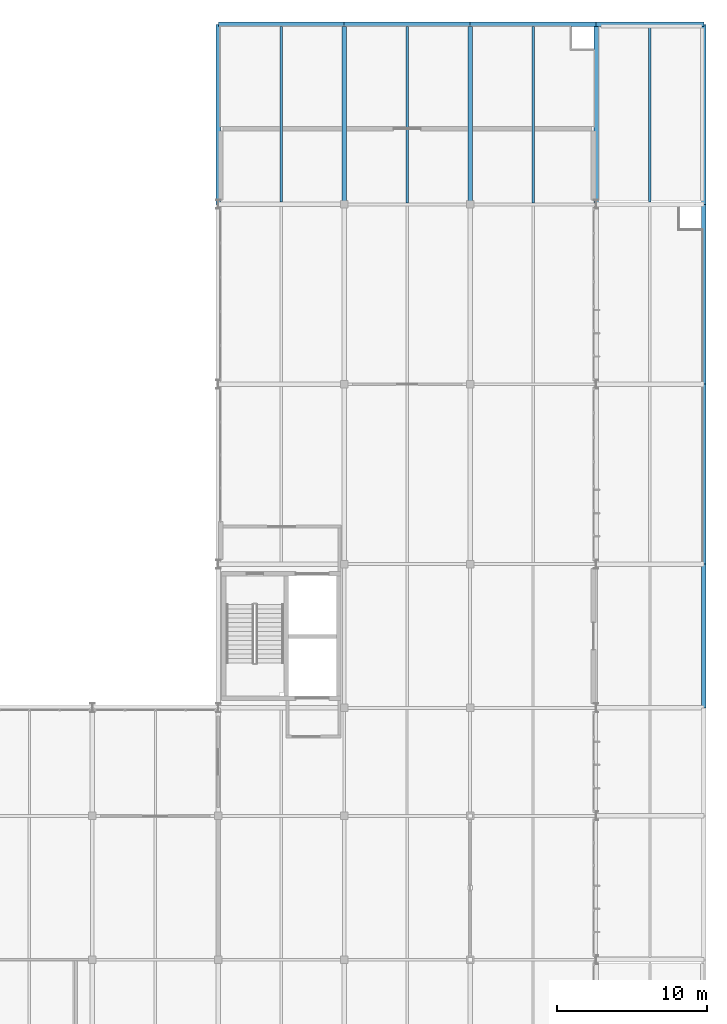
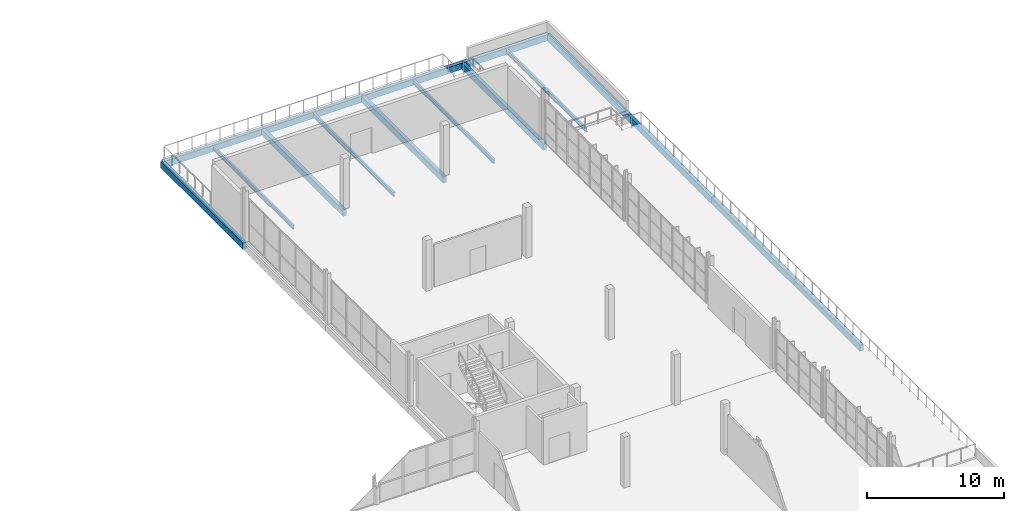
# One storey, part 84 of 109: 16 beams.
"""IFC4 building model written with IfcOpenShell, lengths in metres."""

from ifc_helpers import new_model, si_unit, direction, frame, origin, origin_2d, place, context, subcontext, project, spatial, rectangle, i_section, extrude, material, material_profile, profile_set, type_object, element, save


model = new_model("IFC4")

# Units and contexts
model_context = context("Model", 3, precision=1e-05, world=origin(), true_north=direction((0.0, 1.0)))
body_context = subcontext(model_context, "Body", "Model", "MODEL_VIEW")
ifc_project = project(units=[si_unit("LENGTHUNIT", "METRE"), si_unit("AREAUNIT", "SQUARE_METRE"), si_unit("VOLUMEUNIT", "CUBIC_METRE"), si_unit("PLANEANGLEUNIT", "RADIAN"), si_unit("MASSUNIT", "GRAM", prefix="KILO")], contexts=[model_context])

# Site, building, storey
site_placement = place(None, origin())
site = spatial("IfcSite", under=ifc_project, at=site_placement, CompositionType="ELEMENT")
building_placement = place(site_placement, origin())
building = spatial("IfcBuilding", under=site, at=building_placement, Name="Veltarok Museum of Natural Sciences", CompositionType="ELEMENT")
storey_placement = place(building_placement, frame((0.0, 0.0, 17.39990234375)))
storey = spatial("IfcBuildingStorey", under=building, at=storey_placement, Name="L03", CompositionType="ELEMENT", Elevation=17.39990234375)

# Beams
ifc_material_1 = material(Name="Precast concrete C40/50", Category="concrete")
ifc_material_profile_1 = material_profile(ifc_material_1, rectangle(XDim=0.300048828125, YDim=0.550048828125, at=origin_2d()), Name="RC 300x550")
ifc_profile_set_1 = profile_set([ifc_material_profile_1], Name="Precast concrete C40/50")
beam_type_1 = type_object("IfcBeamType", Name="East Wing Precast Spandrel RC 300x550", PredefinedType="SPANDREL", material=ifc_profile_set_1)
beam_1_placement = place(storey_placement, frame((132.39990234375, 72.0, -0.534912109375), z_axis=(1.0, 0.0, 0.0), x_axis=(0.0, 1.0, 0.0)))
element("IfcBeam", 1, at=beam_1_placement, inside=storey, type_object=beam_type_1, Name="Beam BM-SP02 L03 16-17/H", PredefinedType="SPANDREL", context=body_context, shape_type="SweptSolid", body=[
    extrude(rectangle(XDim=0.300048828125, YDim=0.550048828125, at=origin_2d()), origin(), (0.0, 0.0, 1.0), 8.400146484375),
])
beam_2_placement = place(storey_placement, frame((140.800048828125, 72.0, -0.534912109375), z_axis=(1.0, 0.0, 0.0), x_axis=(0.0, 1.0, 0.0)))
element("IfcBeam", 2, at=beam_2_placement, inside=storey, type_object=beam_type_1, Name="Beam BM-SP02 L03 17-18/H", PredefinedType="SPANDREL", context=body_context, shape_type="SweptSolid", body=[
    extrude(rectangle(XDim=0.300048828125, YDim=0.550048828125, at=origin_2d()), origin(), (0.0, 0.0, 1.0), 8.39990234375),
])
beam_3_placement = place(storey_placement, frame((149.199951171875, 72.0, -0.534912109375), z_axis=(1.0, 0.0, 0.0), x_axis=(0.0, 1.0, 0.0)))
element("IfcBeam", 3, at=beam_3_placement, inside=storey, type_object=beam_type_1, Name="Beam BM-SP02 L03 18-19/H", PredefinedType="SPANDREL", context=body_context, shape_type="SweptSolid", body=[
    extrude(rectangle(XDim=0.300048828125, YDim=0.550048828125, at=origin_2d()), origin(), (0.0, 0.0, 1.0), 8.400146484375),
])
beam_4_placement = place(storey_placement, frame((157.60009765625, 72.0, -0.534912109375), z_axis=(1.0, 0.0, 0.0), x_axis=(0.0, 1.0, 0.0)))
element("IfcBeam", 4, at=beam_4_placement, inside=storey, type_object=beam_type_1, Name="Beam BM-SP02 L03 19-20/H", PredefinedType="SPANDREL", context=body_context, shape_type="SweptSolid", body=[
    extrude(rectangle(XDim=0.300048828125, YDim=0.550048828125, at=origin_2d()), origin(), (0.0, 0.0, 1.0), 7.199951171875),
])
for number, where, z_axis, x_axis, name in (
    (5, (132.39990234375, 60.0, -0.534912109375), (0.0, 1.0, 0.0), (-1.0, 0.0, 0.0), "Beam BM-SP02 L03 16/G-H"),
    (6, (140.800048828125, 60.0, -0.534912109375), (0.0, 1.0, 0.0), (-1.0, 0.0, 0.0), "Beam BM-SP02 L03 17/G-H"),
    (7, (149.199951171875, 60.0, -0.534912109375), (0.0, 1.0, 0.0), (-1.0, 0.0, 0.0), "Beam BM-SP02 L03 18/G-H"),
    (8, (157.60009765625, 60.0, -0.534912109375), (0.0, 1.0, 0.0), (-1.0, 0.0, 0.0), "Beam BM-SP02 L03 19/G-H"),
):
    element("IfcBeam", number, at=place(storey_placement, frame(where, z_axis=z_axis, x_axis=x_axis)), inside=storey, type_object=beam_type_1, Name=name, PredefinedType="SPANDREL", context=body_context, shape_type="SweptSolid", body=[
        extrude(rectangle(XDim=0.300048828125, YDim=0.550048828125, at=origin_2d()), origin(), (0.0, 0.0, 1.0), 12.0),
    ])
beam_5_placement = place(storey_placement, frame((164.800048828125, 26.39990234375, -0.534912109375), z_axis=(0.0, 1.0, 0.0), x_axis=(-1.0, 0.0, 0.0)))
element("IfcBeam", 9, at=beam_5_placement, inside=storey, type_object=beam_type_1, Name="Beam BM-SP02 L03 20/D-E", PredefinedType="SPANDREL", context=body_context, shape_type="SweptSolid", body=[
    extrude(rectangle(XDim=0.300048828125, YDim=0.550048828125, at=origin_2d()), origin(), (0.0, 0.0, 1.0), 9.60009765625),
])
for number, where, z_axis, x_axis, name in (
    (10, (164.800048828125, 36.0, -0.534912109375), (0.0, 1.0, 0.0), (-1.0, 0.0, 0.0), "Beam BM-SP02 L03 20/E-F"),
    (11, (164.800048828125, 48.0, -0.534912109375), (0.0, 1.0, 0.0), (-1.0, 0.0, 0.0), "Beam BM-SP02 L03 20/F-G"),
    (12, (164.800048828125, 60.0, -0.534912109375), (0.0, 1.0, 0.0), (-1.0, 0.0, 0.0), "Beam BM-SP02 L03 20/G-H"),
):
    element("IfcBeam", number, at=place(storey_placement, frame(where, z_axis=z_axis, x_axis=x_axis)), inside=storey, type_object=beam_type_1, Name=name, PredefinedType="SPANDREL", context=body_context, shape_type="SweptSolid", body=[
        extrude(rectangle(XDim=0.300048828125, YDim=0.550048828125, at=origin_2d()), origin(), (0.0, 0.0, 1.0), 12.0),
    ])
ifc_material_2 = material(Name="Steel S355J2", Category="steel")
ifc_material_profile_2 = material_profile(ifc_material_2, i_section(OverallWidth=0.169921875, OverallDepth=0.360107421875, WebThickness=0.008056640625, FlangeThickness=0.0126953125, FilletRadius=0.01806640625, at=origin_2d()), Name="IPE 360")
ifc_profile_set_2 = profile_set([ifc_material_profile_2], Name="Steel S355J2")
beam_type_2 = type_object("IfcBeamType", Name="Long-Bay Composite Joist IPE 360", PredefinedType="JOIST", material=ifc_profile_set_2)
beam_6_placement = place(storey_placement, frame((136.60009765625, 60.14794921875, -0.43994140625), z_axis=(0.0, 1.0, 0.0), x_axis=(-1.0, 0.0, 0.0)))
element("IfcBeam", 13, at=beam_6_placement, inside=storey, type_object=beam_type_2, Name="Secondary Joist BM-J01 L03 16-17/G-H.1", PredefinedType="JOIST", context=body_context, shape_type="SweptSolid", body=[
    extrude(i_section(OverallWidth=0.169921875, OverallDepth=0.360107421875, WebThickness=0.008056640625, FlangeThickness=0.0126953125, FilletRadius=0.01806640625, at=origin_2d()), origin(), (0.0, 0.0, 1.0), 11.7041015625),
])
for number, where, z_axis, x_axis, name in (
    (14, (145.0, 60.093017578125, -0.43994140625), (0.0, 1.0, 0.0), (-1.0, 0.0, 0.0), "Secondary Joist BM-J01 L03 17-18/G-H.1"),
    (15, (153.39990234375, 60.093017578125, -0.43994140625), (0.0, 1.0, 0.0), (-1.0, 0.0, 0.0), "Secondary Joist BM-J01 L03 18-19/G-H.1"),
):
    element("IfcBeam", number, at=place(storey_placement, frame(where, z_axis=z_axis, x_axis=x_axis)), inside=storey, type_object=beam_type_2, Name=name, PredefinedType="JOIST", context=body_context, shape_type="SweptSolid", body=[
        extrude(i_section(OverallWidth=0.169921875, OverallDepth=0.360107421875, WebThickness=0.008056640625, FlangeThickness=0.0126953125, FilletRadius=0.01806640625, at=origin_2d()), origin(), (0.0, 0.0, 1.0), 11.759033203125),
    ])
beam_7_placement = place(storey_placement, frame((161.199951171875, 60.14794921875, -0.429931640625), z_axis=(0.0, 1.0, 0.0), x_axis=(-1.0, 0.0, 0.0)))
element("IfcBeam", 16, at=beam_7_placement, inside=storey, type_object=beam_type_2, Name="Secondary Joist BM-J01 L03 19-20/G-H.1", PredefinedType="JOIST", context=body_context, shape_type="SweptSolid", body=[
    extrude(i_section(OverallWidth=0.169921875, OverallDepth=0.360107421875, WebThickness=0.008056640625, FlangeThickness=0.0126953125, FilletRadius=0.01806640625, at=origin_2d()), origin(), (0.0, 0.0, 1.0), 11.7041015625),
])

save(model, "model.ifc")
